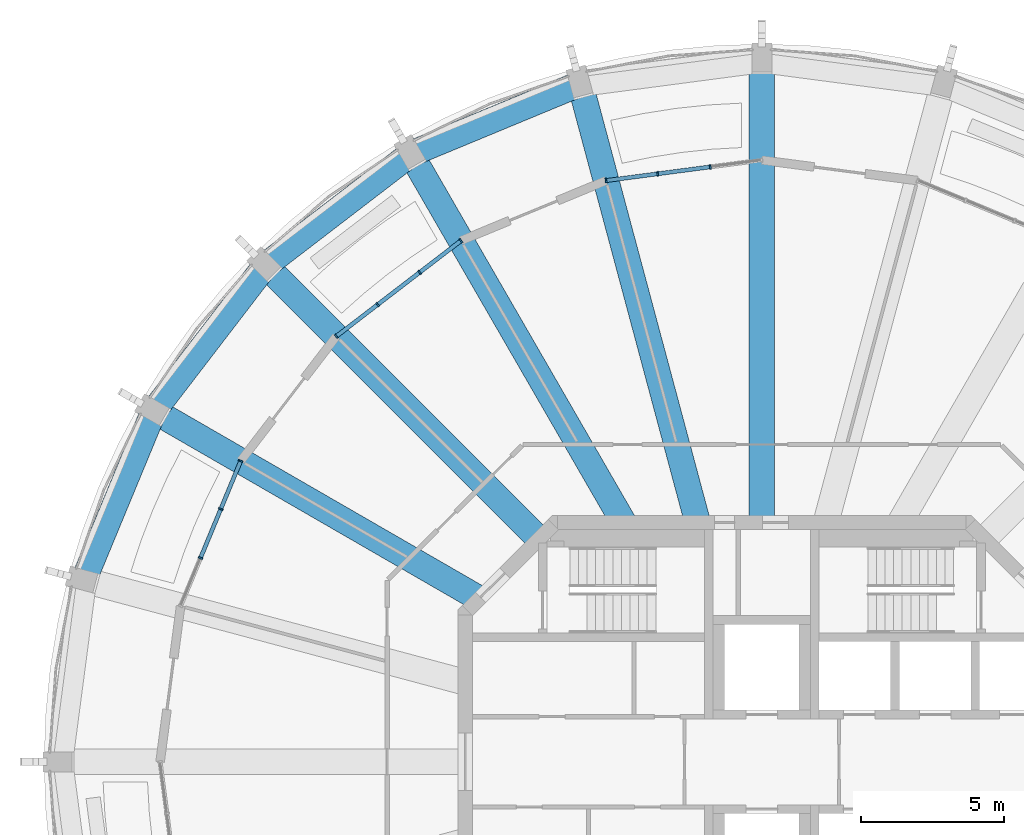
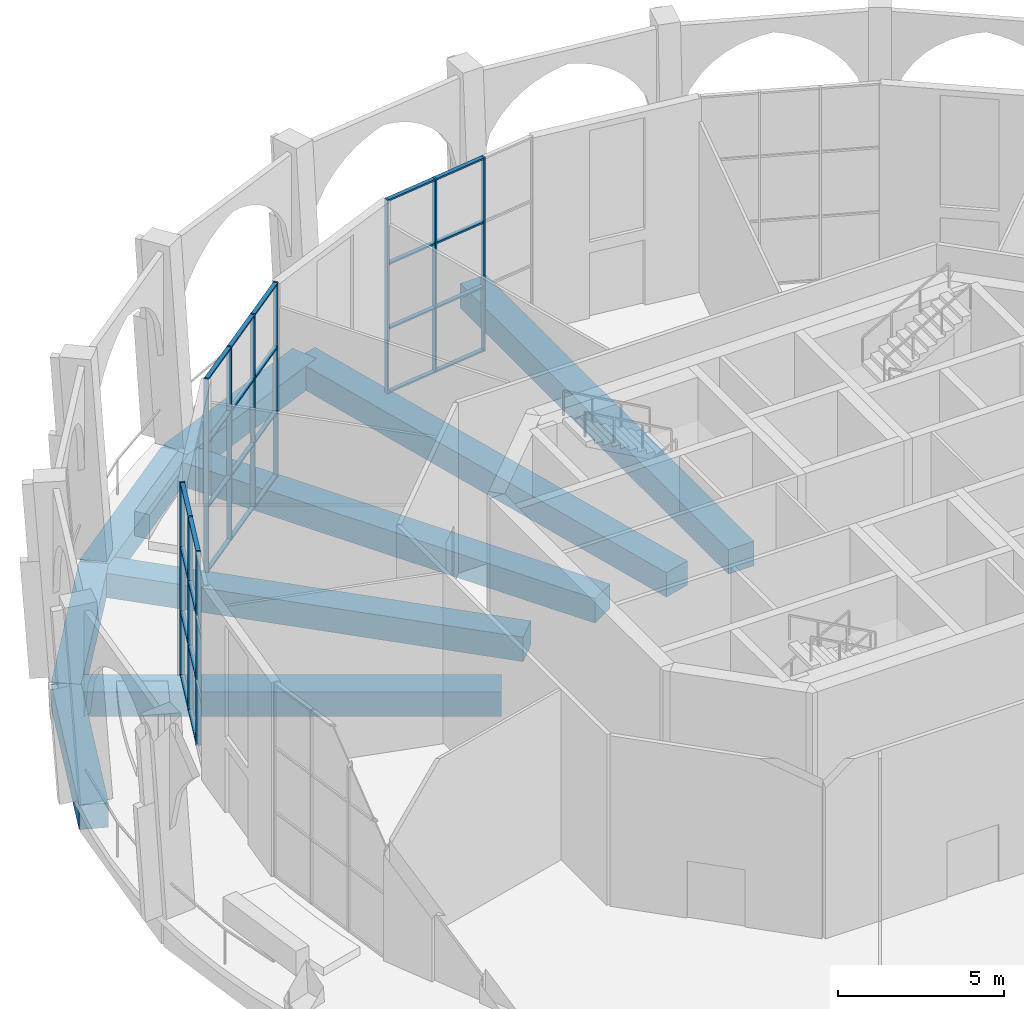
# One storey, part 5 of 17: 38 members, 9 beams, 3 elements without a shape of their own.
"""IFC4 building model written with IfcOpenShell, lengths in metres."""

import ifcopenshell
import ifcopenshell.guid

model = None  # the IFC model being written
_history = None  # IfcOwnerHistory: only IFC2X3 demands one
_inside = {}  # id of a spatial element -> (the spatial element, [elements in it])
_under = {}  # id of a project, library or spatial element -> (it, [spatial elements below it])
_declared = {}  # id of a project -> (the project, [libraries it declares])
_typed = {}  # id of a type object -> (the type object, [elements of that type])
_made_of = {}  # id of a material, layer set ... -> (it, [elements and type objects made of it])


def new_model(schema):
    """Start an empty IFC model of exactly this schema.

    Asked for "IFC4X3", IfcOpenShell would pick the latest addendum, in which some entities
    have other attributes; the version numbers below select the first issue.
    IFC2X3 requires an IfcOwnerHistory on every rooted entity: one is made here for all.
    """
    global model, _history
    if schema == "IFC4X3":
        model = ifcopenshell.file(schema_version=(4, 3, 0, 0))
    else:
        model = ifcopenshell.file(schema=schema)
    _inside.clear()
    _under.clear()
    _declared.clear()
    _typed.clear()
    _made_of.clear()
    _history = None
    if model.schema == "IFC2X3":
        org = make("IfcOrganization", Name="unknown")
        user = make(
            "IfcPersonAndOrganization",
            ThePerson=make("IfcPerson", FamilyName="unknown"),
            TheOrganization=org,
        )
        app = make(
            "IfcApplication",
            ApplicationDeveloper=org,
            Version="unknown",
            ApplicationFullName="unknown",
            ApplicationIdentifier="unknown",
        )
        _history = make(
            "IfcOwnerHistory",
            OwningUser=user,
            OwningApplication=app,
            ChangeAction="ADDED",
            CreationDate=0,
        )
    return model


def make(cls, **values):
    """One entity of the class cls with the attributes given. An attribute that is None is left unset."""
    return model.create_entity(
        cls, **{name: value for name, value in values.items() if value is not None}
    )


def rooted(cls, **values):
    """An entity with a GlobalId (a new one), such as an element, a storey or a relation."""
    return make(cls, GlobalId=ifcopenshell.guid.new(), OwnerHistory=_history, **values)


def si_unit(unit_type, name, prefix=None):
    """IfcSIUnit, for example si_unit("LENGTHUNIT", "METRE", prefix="MILLI")."""
    return make("IfcSIUnit", UnitType=unit_type, Prefix=prefix, Name=name)


def assignment(units):
    """IfcUnitAssignment: the units of a project."""
    return None if units is None else make("IfcUnitAssignment", Units=units)


def point(xyz):
    """IfcCartesianPoint."""
    return None if xyz is None else make("IfcCartesianPoint", Coordinates=xyz)


def direction(xyz):
    """IfcDirection."""
    return None if xyz is None else make("IfcDirection", DirectionRatios=xyz)


def frame(location, z_axis=None, x_axis=None):
    """IfcAxis2Placement3D, a coordinate frame: its origin and axes. An axis left out is left unset."""
    return make(
        "IfcAxis2Placement3D",
        Location=point(location),
        Axis=direction(z_axis),
        RefDirection=direction(x_axis),
    )


def frame_2d(location, x_axis=None):
    """IfcAxis2Placement2D, a coordinate frame in the plane: its origin and x axis."""
    return make(
        "IfcAxis2Placement2D", Location=point(location), RefDirection=direction(x_axis)
    )


def origin():
    """The frame at (0, 0, 0) with its axes left unset."""
    return frame((0.0, 0.0, 0.0))


def origin_2d():
    """The frame at (0, 0) in the plane with its x axis left unset."""
    return frame_2d((0.0, 0.0))


def place(relative_to, where):
    """IfcLocalPlacement: puts the frame where relative to a parent placement (None: the world)."""
    return make(
        "IfcLocalPlacement", PlacementRelTo=relative_to, RelativePlacement=where
    )


def context(
    kind, dimensions, precision=None, world=None, true_north=None, identifier=None
):
    """IfcGeometricRepresentationContext, for example the 3D "Model" context."""
    return make(
        "IfcGeometricRepresentationContext",
        ContextIdentifier=identifier,
        ContextType=kind,
        CoordinateSpaceDimension=dimensions,
        Precision=precision,
        WorldCoordinateSystem=world,
        TrueNorth=true_north,
    )


def subcontext(parent, identifier, kind, view, scale=None):
    """IfcGeometricRepresentationSubContext, for example "Body" below "Model"."""
    return make(
        "IfcGeometricRepresentationSubContext",
        ContextIdentifier=identifier,
        ContextType=kind,
        ParentContext=parent,
        TargetScale=scale,
        TargetView=view,
    )


def project(units=None, contexts=None):
    """IfcProject with its units and contexts."""
    return rooted(
        "IfcProject",
        Name="project",
        RepresentationContexts=contexts,
        UnitsInContext=assignment(units),
    )


def spatial(cls, under=None, at=None, **own):
    """A site, building, storey or space (cls), placed at a placement, below another one or the project."""
    s = rooted(cls, ObjectPlacement=at, **own)
    if under is not None:
        _under.setdefault(under.id(), (under, []))[1].append(s)
    return s


def profile(cls, at=None, kind="AREA", **sizes):
    """A parametric profile (cls). Its sizes go by their IFC names, for example OverallWidth=200.0."""
    return make(cls, ProfileType=kind, Position=at, **sizes)


def rectangle(**sizes):
    """IfcRectangleProfileDef."""
    return profile("IfcRectangleProfileDef", **sizes)


def extrude(swept, where, along, depth):
    """IfcExtrudedAreaSolid: the profile swept, set in the frame where, extruded along a direction by depth."""
    return make(
        "IfcExtrudedAreaSolid",
        SweptArea=swept,
        Position=where,
        ExtrudedDirection=direction(along),
        Depth=depth,
    )


def shape(context_of_items, identifier, shape_type, items):
    """IfcShapeRepresentation: the items that make up one representation, for example the "Body"."""
    return make(
        "IfcShapeRepresentation",
        ContextOfItems=context_of_items,
        RepresentationIdentifier=identifier,
        RepresentationType=shape_type,
        Items=items,
    )


def material(Name=None, Category=None):
    """IfcMaterial."""
    return make("IfcMaterial", Name=Name, Category=Category)


def material_profile(
    of_material, cross_section, Name=None, Category=None, Priority=None
):
    """IfcMaterialProfile: a cross section and its material."""
    return make(
        "IfcMaterialProfile",
        Name=Name,
        Material=of_material,
        Profile=cross_section,
        Priority=Priority,
        Category=Category,
    )


def profile_set(profiles, Name=None, composite=None):
    """IfcMaterialProfileSet."""
    return make(
        "IfcMaterialProfileSet",
        Name=Name,
        MaterialProfiles=profiles,
        CompositeProfile=composite,
    )


def made_of(thing, what):
    """Note that an element or type object is made of a material, layer set ...; save() writes the relation."""
    if what is not None:
        _made_of.setdefault(what.id(), (what, []))[1].append(thing)
    return thing


def type_object(cls, material=None, **own):
    """A type object (cls), such as IfcWallType, which elements share."""
    return made_of(rooted(cls, **own), material)


def element(
    cls,
    number,
    at=None,
    inside=None,
    cuts=None,
    type_object=None,
    material=None,
    context=None,
    identifier="Body",
    shape_type=None,
    held_by="IfcProductDefinitionShape",
    body=None,
    shapes=None,
    **own,
):
    """One element of the class cls, such as IfcWall. Its Tag is "e" and its number.

    at: its placement. inside: the storey or other place that contains it. cuts: it is an
    opening in that element (IfcRelVoidsElement). A single representation is given by context,
    identifier, shape_type and body (its items); several are given by shapes. held_by: the class
    of the entity that holds the representations. save() writes the other relations.
    """
    e = rooted(cls, Tag="e%d" % number, ObjectPlacement=at, **own)
    if body is not None:
        shapes = [shape(context, identifier, shape_type, body)]
    if shapes is not None:
        e.Representation = make(held_by, Representations=shapes)
    if inside is not None:
        _inside.setdefault(inside.id(), (inside, []))[1].append(e)
    if cuts is not None:
        rooted(
            "IfcRelVoidsElement", RelatingBuildingElement=cuts, RelatedOpeningElement=e
        )
    if type_object is not None:
        _typed.setdefault(type_object.id(), (type_object, []))[1].append(e)
    return made_of(e, material)


def aggregate(whole, parts):
    """IfcRelAggregates: a whole, such as a stair, and the parts it consists of."""
    return rooted("IfcRelAggregates", RelatingObject=whole, RelatedObjects=parts)


def save(model, path):
    """Write the relations noted so far, then the file.

    IfcRelAggregates (storeys below a building ...), IfcRelContainedInSpatialStructure (elements
    in a storey), IfcRelDefinesByType, IfcRelAssociatesMaterial and IfcRelDeclares: one each for
    every whole, place, type object, material and project.
    """
    for whole, parts in _under.values():
        aggregate(whole, parts)
    for where, things in _inside.values():
        rooted(
            "IfcRelContainedInSpatialStructure",
            RelatedElements=things,
            RelatingStructure=where,
        )
    for kind, things in _typed.values():
        rooted("IfcRelDefinesByType", RelatedObjects=things, RelatingType=kind)
    for what, things in _made_of.values():
        rooted("IfcRelAssociatesMaterial", RelatedObjects=things, RelatingMaterial=what)
    for by, libraries in _declared.values():
        rooted("IfcRelDeclares", RelatingContext=by, RelatedDefinitions=libraries)
    model.write(path)


model = new_model("IFC4")

# Units and contexts
model_context = context("Model", 3, precision=1e-05, world=origin(), true_north=direction((0.0, 1.0)))
body_context = subcontext(model_context, "Body", "Model", "MODEL_VIEW")
ifc_project = project(units=[si_unit("LENGTHUNIT", "METRE"), si_unit("AREAUNIT", "SQUARE_METRE"), si_unit("VOLUMEUNIT", "CUBIC_METRE"), si_unit("PLANEANGLEUNIT", "RADIAN"), si_unit("MASSUNIT", "GRAM", prefix="KILO")], contexts=[model_context])

# Site, building, storey
site_placement = place(None, origin())
site = spatial("IfcSite", under=ifc_project, at=site_placement, CompositionType="ELEMENT")
building_placement = place(site_placement, origin())
building = spatial("IfcBuilding", under=site, at=building_placement, Name="Torre Triforio", CompositionType="ELEMENT")
storey_placement = place(building_placement, frame((0.0, 0.0, 276.0)))
storey = spatial("IfcBuildingStorey", under=building, at=storey_placement, Name="L64", CompositionType="ELEMENT", Elevation=276.0)

# Curtain wall, members
ifc_material_1 = material(Name="Aluminium mullion and transom frame with clear laminated glass", Category="aluminium")
curtain_wall_type = type_object("IfcCurtainWallType", Name="Sky garden conservatory wall ECW3", PredefinedType="NOTDEFINED", material=ifc_material_1)
curtain_wall_1_placement = place(storey_placement, origin())
curtain_wall_1 = element("IfcCurtainWall", 1, at=curtain_wall_1_placement, inside=storey, type_object=curtain_wall_type, Name="Conservatory wall L64 bay 07", PredefinedType="NOTDEFINED")
ifc_material_2 = material(Name="Anodised aluminium extrusion", Category="aluminium")
ifc_material_profile_1 = material_profile(ifc_material_2, rectangle(XDim=0.159912109375, YDim=0.06005859375, at=origin_2d()), Name="ECW3 MULLION 60x160")
ifc_profile_set_1 = profile_set([ifc_material_profile_1], Name="Anodised aluminium extrusion")
member_type_1 = type_object("IfcMemberType", Name="ECW3 mullion 60 x 160", PredefinedType="MULLION", material=ifc_profile_set_1)
member_1_placement = place(storey_placement, frame((-1.8017578125, 20.7626953125, 0.0), z_axis=(0.0, 0.0, 1.0), x_axis=(0.130530127386, -0.991444343291, 0.0)))
member_1 = element("IfcMember", 2, at=member_1_placement, type_object=member_type_1, Name="ECW3 mullion 2", PredefinedType="MULLION", context=body_context, shape_type="SweptSolid", body=[
    extrude(rectangle(XDim=0.159912109375, YDim=0.06005859375, at=origin_2d()), origin(), (0.0, 0.0, 1.0), 7.1201171875),
])
member_2_placement = place(storey_placement, frame((-3.63330078125, 20.521728515625, 0.0), z_axis=(0.0, 0.0, 1.0), x_axis=(0.130530127386, -0.991444343291, 0.0)))
member_2 = element("IfcMember", 3, at=member_2_placement, type_object=member_type_1, Name="ECW3 mullion 3", PredefinedType="MULLION", context=body_context, shape_type="SweptSolid", body=[
    extrude(rectangle(XDim=0.159912109375, YDim=0.06005859375, at=origin_2d()), origin(), (0.0, 0.0, 1.0), 7.1201171875),
])
member_3_placement = place(storey_placement, frame((-5.43505859375, 20.284423828125, 0.0), z_axis=(0.0, 0.0, 1.0), x_axis=(0.130530127386, -0.991444343291, 0.0)))
member_3 = element("IfcMember", 4, at=member_3_placement, type_object=member_type_1, Name="ECW3 mullion 4", PredefinedType="MULLION", context=body_context, shape_type="SweptSolid", body=[
    extrude(rectangle(XDim=0.159912109375, YDim=0.06005859375, at=origin_2d()), origin(), (0.0, 0.0, 1.0), 7.1201171875),
])

curtain_wall_2_placement = place(storey_placement, origin())
curtain_wall_2 = element("IfcCurtainWall", 5, at=curtain_wall_2_placement, inside=storey, type_object=curtain_wall_type, Name="Conservatory wall L64 bay 09", PredefinedType="NOTDEFINED")
member_4_placement = place(storey_placement, frame((-10.5, 18.1865234375, 0.0), z_axis=(0.0, 0.0, 1.0), x_axis=(0.608763325538, -0.793351885029, 0.0)))
member_4 = element("IfcMember", 6, at=member_4_placement, type_object=member_type_1, Name="ECW3 mullion 1", PredefinedType="MULLION", context=body_context, shape_type="SweptSolid", body=[
    extrude(rectangle(XDim=0.159912109375, YDim=0.06005859375, at=origin_2d()), origin(), (0.0, 0.0, 1.0), 7.1201171875),
])
member_5_placement = place(storey_placement, frame((-11.94189453125, 17.080078125, 0.0), z_axis=(0.0, 0.0, 1.0), x_axis=(0.608763325538, -0.793351885029, 0.0)))
member_5 = element("IfcMember", 7, at=member_5_placement, type_object=member_type_1, Name="ECW3 mullion 2", PredefinedType="MULLION", context=body_context, shape_type="SweptSolid", body=[
    extrude(rectangle(XDim=0.159912109375, YDim=0.06005859375, at=origin_2d()), origin(), (0.0, 0.0, 1.0), 7.1201171875),
])
member_6_placement = place(storey_placement, frame((-13.407470703125, 15.95556640625, 0.0), z_axis=(0.0, 0.0, 1.0), x_axis=(0.608763325538, -0.793351885029, 0.0)))
member_6 = element("IfcMember", 8, at=member_6_placement, type_object=member_type_1, Name="ECW3 mullion 3", PredefinedType="MULLION", context=body_context, shape_type="SweptSolid", body=[
    extrude(rectangle(XDim=0.159912109375, YDim=0.06005859375, at=origin_2d()), origin(), (0.0, 0.0, 1.0), 7.1201171875),
])
member_7_placement = place(storey_placement, frame((-14.84912109375, 14.849365234375, 0.0), z_axis=(0.0, 0.0, 1.0), x_axis=(0.608763325538, -0.793351885029, 0.0)))
member_7 = element("IfcMember", 9, at=member_7_placement, type_object=member_type_1, Name="ECW3 mullion 4", PredefinedType="MULLION", context=body_context, shape_type="SweptSolid", body=[
    extrude(rectangle(XDim=0.159912109375, YDim=0.06005859375, at=origin_2d()), origin(), (0.0, 0.0, 1.0), 7.1201171875),
])

curtain_wall_3_placement = place(storey_placement, origin())
curtain_wall_3 = element("IfcCurtainWall", 10, at=curtain_wall_3_placement, inside=storey, type_object=curtain_wall_type, Name="Conservatory wall L64 bay 11", PredefinedType="NOTDEFINED")
member_8_placement = place(storey_placement, frame((-18.1865234375, 10.5, 0.0), z_axis=(0.0, 0.0, 1.0), x_axis=(0.923883122974, -0.382674764107, 0.0)))
member_8 = element("IfcMember", 11, at=member_8_placement, type_object=member_type_1, Name="ECW3 mullion 1", PredefinedType="MULLION", context=body_context, shape_type="SweptSolid", body=[
    extrude(rectangle(XDim=0.159912109375, YDim=0.06005859375, at=origin_2d()), origin(), (0.0, 0.0, 1.0), 7.1201171875),
])
member_9_placement = place(storey_placement, frame((-18.882080078125, 8.821044921875, 0.0), z_axis=(0.0, 0.0, 1.0), x_axis=(0.923883122974, -0.382674764107, 0.0)))
member_9 = element("IfcMember", 12, at=member_9_placement, type_object=member_type_1, Name="ECW3 mullion 2", PredefinedType="MULLION", context=body_context, shape_type="SweptSolid", body=[
    extrude(rectangle(XDim=0.159912109375, YDim=0.06005859375, at=origin_2d()), origin(), (0.0, 0.0, 1.0), 7.1201171875),
])
member_10_placement = place(storey_placement, frame((-19.5888671875, 7.1142578125, 0.0), z_axis=(0.0, 0.0, 1.0), x_axis=(0.923883122974, -0.382674764107, 0.0)))
member_10 = element("IfcMember", 13, at=member_10_placement, type_object=member_type_1, Name="ECW3 mullion 3", PredefinedType="MULLION", context=body_context, shape_type="SweptSolid", body=[
    extrude(rectangle(XDim=0.159912109375, YDim=0.06005859375, at=origin_2d()), origin(), (0.0, 0.0, 1.0), 7.1201171875),
])

# Member
ifc_material_profile_2 = material_profile(ifc_material_2, rectangle(XDim=0.139892578125, YDim=0.06005859375, at=origin_2d()), Name="ECW3 TRANSOM 60x140")
ifc_profile_set_2 = profile_set([ifc_material_profile_2], Name="Anodised aluminium extrusion")
member_type_2 = type_object("IfcMemberType", Name="ECW3 transom 60 x 140", PredefinedType="USERDEFINED", material=ifc_profile_set_2)
member_11_placement = place(storey_placement, frame((-1.83154296875, 20.7587890625, 0.030029296875), z_axis=(-0.991454295543, -0.130454512571, 0.0), x_axis=(0.130454512571, -0.991454295543, 0.0)))
member_11 = element("IfcMember", 14, at=member_11_placement, type_object=member_type_2, Name="ECW3 transom 2.1", ObjectType="TRANSOM", PredefinedType="USERDEFINED", context=body_context, shape_type="SweptSolid", body=[
    extrude(rectangle(XDim=0.139892578125, YDim=0.06005859375, at=origin_2d()), origin(), (0.0, 0.0, 1.0), 1.787353515625),
])

member_12_placement = place(storey_placement, frame((-1.83154296875, 20.7587890625, 2.373291015625), z_axis=(-0.991454295543, -0.130454512571, 0.0), x_axis=(0.130454512571, -0.991454295543, 0.0)))
member_12 = element("IfcMember", 15, at=member_12_placement, type_object=member_type_2, Name="ECW3 transom 2.2", ObjectType="TRANSOM", PredefinedType="USERDEFINED", context=body_context, shape_type="SweptSolid", body=[
    extrude(rectangle(XDim=0.139892578125, YDim=0.06005859375, at=origin_2d()), origin(), (0.0, 0.0, 1.0), 1.787353515625),
])

member_13_placement = place(storey_placement, frame((-1.83154296875, 20.7587890625, 4.74658203125), z_axis=(-0.991454295543, -0.130454512571, 0.0), x_axis=(0.130454512571, -0.991454295543, 0.0)))
member_13 = element("IfcMember", 16, at=member_13_placement, type_object=member_type_2, Name="ECW3 transom 2.3", ObjectType="TRANSOM", PredefinedType="USERDEFINED", context=body_context, shape_type="SweptSolid", body=[
    extrude(rectangle(XDim=0.139892578125, YDim=0.06005859375, at=origin_2d()), origin(), (0.0, 0.0, 1.0), 1.787353515625),
])

member_14_placement = place(storey_placement, frame((-1.83154296875, 20.7587890625, 7.090087890625), z_axis=(-0.991454295543, -0.130454512571, 0.0), x_axis=(0.130454512571, -0.991454295543, 0.0)))
member_14 = element("IfcMember", 17, at=member_14_placement, type_object=member_type_2, Name="ECW3 transom 2.4", ObjectType="TRANSOM", PredefinedType="USERDEFINED", context=body_context, shape_type="SweptSolid", body=[
    extrude(rectangle(XDim=0.139892578125, YDim=0.06005859375, at=origin_2d()), origin(), (0.0, 0.0, 1.0), 1.787353515625),
])

member_15_placement = place(storey_placement, frame((-3.6630859375, 20.517822265625, 0.030029296875), z_axis=(-0.991437738784, -0.130580282255, 0.0), x_axis=(0.130580282255, -0.991437738784, 0.0)))
member_15 = element("IfcMember", 18, at=member_15_placement, type_object=member_type_2, Name="ECW3 transom 3.1", ObjectType="TRANSOM", PredefinedType="USERDEFINED", context=body_context, shape_type="SweptSolid", body=[
    extrude(rectangle(XDim=0.139892578125, YDim=0.06005859375, at=origin_2d()), origin(), (0.0, 0.0, 1.0), 1.757568359375),
])

member_16_placement = place(storey_placement, frame((-3.6630859375, 20.517822265625, 2.373291015625), z_axis=(-0.991437738784, -0.130580282255, 0.0), x_axis=(0.130580282255, -0.991437738784, 0.0)))
member_16 = element("IfcMember", 19, at=member_16_placement, type_object=member_type_2, Name="ECW3 transom 3.2", ObjectType="TRANSOM", PredefinedType="USERDEFINED", context=body_context, shape_type="SweptSolid", body=[
    extrude(rectangle(XDim=0.139892578125, YDim=0.06005859375, at=origin_2d()), origin(), (0.0, 0.0, 1.0), 1.757568359375),
])

member_17_placement = place(storey_placement, frame((-3.6630859375, 20.517822265625, 4.74658203125), z_axis=(-0.991437738784, -0.130580282255, 0.0), x_axis=(0.130580282255, -0.991437738784, 0.0)))
member_17 = element("IfcMember", 20, at=member_17_placement, type_object=member_type_2, Name="ECW3 transom 3.3", ObjectType="TRANSOM", PredefinedType="USERDEFINED", context=body_context, shape_type="SweptSolid", body=[
    extrude(rectangle(XDim=0.139892578125, YDim=0.06005859375, at=origin_2d()), origin(), (0.0, 0.0, 1.0), 1.757568359375),
])

member_18_placement = place(storey_placement, frame((-3.6630859375, 20.517822265625, 7.090087890625), z_axis=(-0.991437738784, -0.130580282255, 0.0), x_axis=(0.130580282255, -0.991437738784, 0.0)))
member_18 = element("IfcMember", 21, at=member_18_placement, type_object=member_type_2, Name="ECW3 transom 3.4", ObjectType="TRANSOM", PredefinedType="USERDEFINED", context=body_context, shape_type="SweptSolid", body=[
    extrude(rectangle(XDim=0.139892578125, YDim=0.06005859375, at=origin_2d()), origin(), (0.0, 0.0, 1.0), 1.757568359375),
])

aggregate(curtain_wall_1, [member_1, member_2, member_3, member_11, member_12, member_13, member_14, member_15, member_16, member_17, member_18])

member_19_placement = place(storey_placement, frame((-10.523681640625, 18.168212890625, 0.030029296875), z_axis=(-0.793367055756, -0.60874355425, 0.0), x_axis=(0.60874355425, -0.793367055756, 0.0)))
member_19 = element("IfcMember", 22, at=member_19_placement, type_object=member_type_2, Name="ECW3 transom 1.1", ObjectType="TRANSOM", PredefinedType="USERDEFINED", context=body_context, shape_type="SweptSolid", body=[
    extrude(rectangle(XDim=0.139892578125, YDim=0.06005859375, at=origin_2d()), origin(), (0.0, 0.0, 1.0), 1.75732421875),
])

member_20_placement = place(storey_placement, frame((-10.523681640625, 18.168212890625, 2.373291015625), z_axis=(-0.793367055756, -0.60874355425, 0.0), x_axis=(0.60874355425, -0.793367055756, 0.0)))
member_20 = element("IfcMember", 23, at=member_20_placement, type_object=member_type_2, Name="ECW3 transom 1.2", ObjectType="TRANSOM", PredefinedType="USERDEFINED", context=body_context, shape_type="SweptSolid", body=[
    extrude(rectangle(XDim=0.139892578125, YDim=0.06005859375, at=origin_2d()), origin(), (0.0, 0.0, 1.0), 1.75732421875),
])

member_21_placement = place(storey_placement, frame((-10.523681640625, 18.168212890625, 4.74658203125), z_axis=(-0.793367055756, -0.60874355425, 0.0), x_axis=(0.60874355425, -0.793367055756, 0.0)))
member_21 = element("IfcMember", 24, at=member_21_placement, type_object=member_type_2, Name="ECW3 transom 1.3", ObjectType="TRANSOM", PredefinedType="USERDEFINED", context=body_context, shape_type="SweptSolid", body=[
    extrude(rectangle(XDim=0.139892578125, YDim=0.06005859375, at=origin_2d()), origin(), (0.0, 0.0, 1.0), 1.75732421875),
])

member_22_placement = place(storey_placement, frame((-10.523681640625, 18.168212890625, 7.090087890625), z_axis=(-0.793367055756, -0.60874355425, 0.0), x_axis=(0.60874355425, -0.793367055756, 0.0)))
member_22 = element("IfcMember", 25, at=member_22_placement, type_object=member_type_2, Name="ECW3 transom 1.4", ObjectType="TRANSOM", PredefinedType="USERDEFINED", context=body_context, shape_type="SweptSolid", body=[
    extrude(rectangle(XDim=0.139892578125, YDim=0.06005859375, at=origin_2d()), origin(), (0.0, 0.0, 1.0), 1.75732421875),
])

member_23_placement = place(storey_placement, frame((-11.965576171875, 17.06201171875, 0.030029296875), z_axis=(-0.793329270588, -0.608792795973, 0.0), x_axis=(0.608792795973, -0.793329270588, 0.0)))
member_23 = element("IfcMember", 26, at=member_23_placement, type_object=member_type_2, Name="ECW3 transom 2.1", ObjectType="TRANSOM", PredefinedType="USERDEFINED", context=body_context, shape_type="SweptSolid", body=[
    extrude(rectangle(XDim=0.139892578125, YDim=0.06005859375, at=origin_2d()), origin(), (0.0, 0.0, 1.0), 1.787353515625),
])

member_24_placement = place(storey_placement, frame((-11.965576171875, 17.06201171875, 2.373291015625), z_axis=(-0.793329270588, -0.608792795973, 0.0), x_axis=(0.608792795973, -0.793329270588, 0.0)))
member_24 = element("IfcMember", 27, at=member_24_placement, type_object=member_type_2, Name="ECW3 transom 2.2", ObjectType="TRANSOM", PredefinedType="USERDEFINED", context=body_context, shape_type="SweptSolid", body=[
    extrude(rectangle(XDim=0.139892578125, YDim=0.06005859375, at=origin_2d()), origin(), (0.0, 0.0, 1.0), 1.787353515625),
])

member_25_placement = place(storey_placement, frame((-11.965576171875, 17.06201171875, 4.74658203125), z_axis=(-0.793329270588, -0.608792795973, 0.0), x_axis=(0.608792795973, -0.793329270588, 0.0)))
member_25 = element("IfcMember", 28, at=member_25_placement, type_object=member_type_2, Name="ECW3 transom 2.3", ObjectType="TRANSOM", PredefinedType="USERDEFINED", context=body_context, shape_type="SweptSolid", body=[
    extrude(rectangle(XDim=0.139892578125, YDim=0.06005859375, at=origin_2d()), origin(), (0.0, 0.0, 1.0), 1.787353515625),
])

member_26_placement = place(storey_placement, frame((-11.965576171875, 17.06201171875, 7.090087890625), z_axis=(-0.793329270588, -0.608792795973, 0.0), x_axis=(0.608792795973, -0.793329270588, 0.0)))
member_26 = element("IfcMember", 29, at=member_26_placement, type_object=member_type_2, Name="ECW3 transom 2.4", ObjectType="TRANSOM", PredefinedType="USERDEFINED", context=body_context, shape_type="SweptSolid", body=[
    extrude(rectangle(XDim=0.139892578125, YDim=0.06005859375, at=origin_2d()), origin(), (0.0, 0.0, 1.0), 1.787353515625),
])

member_27_placement = place(storey_placement, frame((-13.43115234375, 15.937255859375, 0.030029296875), z_axis=(-0.793367055756, -0.60874355425, 0.0), x_axis=(0.60874355425, -0.793367055756, 0.0)))
member_27 = element("IfcMember", 30, at=member_27_placement, type_object=member_type_2, Name="ECW3 transom 3.1", ObjectType="TRANSOM", PredefinedType="USERDEFINED", context=body_context, shape_type="SweptSolid", body=[
    extrude(rectangle(XDim=0.139892578125, YDim=0.06005859375, at=origin_2d()), origin(), (0.0, 0.0, 1.0), 1.75732421875),
])

member_28_placement = place(storey_placement, frame((-13.43115234375, 15.937255859375, 2.373291015625), z_axis=(-0.793367055756, -0.60874355425, 0.0), x_axis=(0.60874355425, -0.793367055756, 0.0)))
member_28 = element("IfcMember", 31, at=member_28_placement, type_object=member_type_2, Name="ECW3 transom 3.2", ObjectType="TRANSOM", PredefinedType="USERDEFINED", context=body_context, shape_type="SweptSolid", body=[
    extrude(rectangle(XDim=0.139892578125, YDim=0.06005859375, at=origin_2d()), origin(), (0.0, 0.0, 1.0), 1.75732421875),
])

member_29_placement = place(storey_placement, frame((-13.43115234375, 15.937255859375, 4.74658203125), z_axis=(-0.793367055756, -0.60874355425, 0.0), x_axis=(0.60874355425, -0.793367055756, 0.0)))
member_29 = element("IfcMember", 32, at=member_29_placement, type_object=member_type_2, Name="ECW3 transom 3.3", ObjectType="TRANSOM", PredefinedType="USERDEFINED", context=body_context, shape_type="SweptSolid", body=[
    extrude(rectangle(XDim=0.139892578125, YDim=0.06005859375, at=origin_2d()), origin(), (0.0, 0.0, 1.0), 1.75732421875),
])

member_30_placement = place(storey_placement, frame((-13.43115234375, 15.937255859375, 7.090087890625), z_axis=(-0.793367055756, -0.60874355425, 0.0), x_axis=(0.60874355425, -0.793367055756, 0.0)))
member_30 = element("IfcMember", 33, at=member_30_placement, type_object=member_type_2, Name="ECW3 transom 3.4", ObjectType="TRANSOM", PredefinedType="USERDEFINED", context=body_context, shape_type="SweptSolid", body=[
    extrude(rectangle(XDim=0.139892578125, YDim=0.06005859375, at=origin_2d()), origin(), (0.0, 0.0, 1.0), 1.75732421875),
])

aggregate(curtain_wall_2, [member_4, member_5, member_6, member_7, member_19, member_20, member_21, member_22, member_23, member_24, member_25, member_26, member_27, member_28, member_29, member_30])

member_31_placement = place(storey_placement, frame((-18.197998046875, 10.47216796875, 0.030029296875), z_axis=(-0.38274032778, -0.923855963606, 0.0), x_axis=(0.923855963606, -0.38274032778, 0.0)))
member_31 = element("IfcMember", 34, at=member_31_placement, type_object=member_type_2, Name="ECW3 transom 1.1", ObjectType="TRANSOM", PredefinedType="USERDEFINED", context=body_context, shape_type="SweptSolid", body=[
    extrude(rectangle(XDim=0.139892578125, YDim=0.06005859375, at=origin_2d()), origin(), (0.0, 0.0, 1.0), 1.75732421875),
])

member_32_placement = place(storey_placement, frame((-18.197998046875, 10.47216796875, 2.373291015625), z_axis=(-0.38274032778, -0.923855963606, 0.0), x_axis=(0.923855963606, -0.38274032778, 0.0)))
member_32 = element("IfcMember", 35, at=member_32_placement, type_object=member_type_2, Name="ECW3 transom 1.2", ObjectType="TRANSOM", PredefinedType="USERDEFINED", context=body_context, shape_type="SweptSolid", body=[
    extrude(rectangle(XDim=0.139892578125, YDim=0.06005859375, at=origin_2d()), origin(), (0.0, 0.0, 1.0), 1.75732421875),
])

member_33_placement = place(storey_placement, frame((-18.197998046875, 10.47216796875, 4.74658203125), z_axis=(-0.38274032778, -0.923855963606, 0.0), x_axis=(0.923855963606, -0.38274032778, 0.0)))
member_33 = element("IfcMember", 36, at=member_33_placement, type_object=member_type_2, Name="ECW3 transom 1.3", ObjectType="TRANSOM", PredefinedType="USERDEFINED", context=body_context, shape_type="SweptSolid", body=[
    extrude(rectangle(XDim=0.139892578125, YDim=0.06005859375, at=origin_2d()), origin(), (0.0, 0.0, 1.0), 1.75732421875),
])

member_34_placement = place(storey_placement, frame((-18.197998046875, 10.47216796875, 7.090087890625), z_axis=(-0.38274032778, -0.923855963606, 0.0), x_axis=(0.923855963606, -0.38274032778, 0.0)))
member_34 = element("IfcMember", 37, at=member_34_placement, type_object=member_type_2, Name="ECW3 transom 1.4", ObjectType="TRANSOM", PredefinedType="USERDEFINED", context=body_context, shape_type="SweptSolid", body=[
    extrude(rectangle(XDim=0.139892578125, YDim=0.06005859375, at=origin_2d()), origin(), (0.0, 0.0, 1.0), 1.75732421875),
])

member_35_placement = place(storey_placement, frame((-18.8935546875, 8.793212890625, 0.030029296875), z_axis=(-0.382597092023, -0.923915291126, 0.0), x_axis=(0.923915291126, -0.382597092023, 0.0)))
member_35 = element("IfcMember", 38, at=member_35_placement, type_object=member_type_2, Name="ECW3 transom 2.1", ObjectType="TRANSOM", PredefinedType="USERDEFINED", context=body_context, shape_type="SweptSolid", body=[
    extrude(rectangle(XDim=0.139892578125, YDim=0.06005859375, at=origin_2d()), origin(), (0.0, 0.0, 1.0), 1.787353515625),
])

member_36_placement = place(storey_placement, frame((-18.8935546875, 8.793212890625, 2.373291015625), z_axis=(-0.382597092023, -0.923915291126, 0.0), x_axis=(0.923915291126, -0.382597092023, 0.0)))
member_36 = element("IfcMember", 39, at=member_36_placement, type_object=member_type_2, Name="ECW3 transom 2.2", ObjectType="TRANSOM", PredefinedType="USERDEFINED", context=body_context, shape_type="SweptSolid", body=[
    extrude(rectangle(XDim=0.139892578125, YDim=0.06005859375, at=origin_2d()), origin(), (0.0, 0.0, 1.0), 1.787353515625),
])

member_37_placement = place(storey_placement, frame((-18.8935546875, 8.793212890625, 4.74658203125), z_axis=(-0.382597092023, -0.923915291126, 0.0), x_axis=(0.923915291126, -0.382597092023, 0.0)))
member_37 = element("IfcMember", 40, at=member_37_placement, type_object=member_type_2, Name="ECW3 transom 2.3", ObjectType="TRANSOM", PredefinedType="USERDEFINED", context=body_context, shape_type="SweptSolid", body=[
    extrude(rectangle(XDim=0.139892578125, YDim=0.06005859375, at=origin_2d()), origin(), (0.0, 0.0, 1.0), 1.787353515625),
])

member_38_placement = place(storey_placement, frame((-18.8935546875, 8.793212890625, 7.090087890625), z_axis=(-0.382597092023, -0.923915291126, 0.0), x_axis=(0.923915291126, -0.382597092023, 0.0)))
member_38 = element("IfcMember", 41, at=member_38_placement, type_object=member_type_2, Name="ECW3 transom 2.4", ObjectType="TRANSOM", PredefinedType="USERDEFINED", context=body_context, shape_type="SweptSolid", body=[
    extrude(rectangle(XDim=0.139892578125, YDim=0.06005859375, at=origin_2d()), origin(), (0.0, 0.0, 1.0), 1.787353515625),
])

aggregate(curtain_wall_3, [member_8, member_9, member_10, member_31, member_32, member_33, member_34, member_35, member_36, member_37, member_38])

# Beams
ifc_material_3 = material(Name="Concrete C40", Category="concrete")
ifc_material_profile_3 = material_profile(ifc_material_3, rectangle(XDim=0.89990234375, YDim=0.89990234375, at=origin_2d()), Name="RC 900x900")
ifc_profile_set_3 = profile_set([ifc_material_profile_3], Name="Concrete C40")
beam_type_1 = type_object("IfcBeamType", Name="Radial beam RC 900x900 C40", PredefinedType="BEAM", material=ifc_profile_set_3)
beam_1_placement = place(storey_placement, frame((0.0, 8.35009765625, -0.72998046875), z_axis=(0.0, 1.0, 0.0), x_axis=(-1.0, 0.0, 0.0)))
element("IfcBeam", 42, at=beam_1_placement, inside=storey, type_object=beam_type_1, Name="BM.R.L64.06", PredefinedType="BEAM", context=body_context, shape_type="SweptSolid", body=[
    extrude(rectangle(XDim=0.89990234375, YDim=0.89990234375, at=origin_2d()), origin(), (0.0, 0.0, 1.0), 16.14990234375),
])
beam_2_placement = place(storey_placement, frame((-2.2373046875, 8.35009765625, -0.72998046875), z_axis=(-0.258823056343, 0.965924751471, 0.0), x_axis=(-0.965924751471, -0.258823056343, 0.0)))
element("IfcBeam", 43, at=beam_2_placement, inside=storey, type_object=beam_type_1, Name="BM.R.L64.07", PredefinedType="BEAM", context=body_context, shape_type="SweptSolid", body=[
    extrude(rectangle(XDim=0.89990234375, YDim=0.89990234375, at=origin_2d()), origin(), (0.0, 0.0, 1.0), 15.85546875),
])
beam_3_placement = place(storey_placement, frame((-4.82080078125, 8.35009765625, -0.72998046875), z_axis=(-0.50000929273, 0.866020038558, 0.0), x_axis=(-0.866020038558, -0.50000929273, 0.0)))
element("IfcBeam", 44, at=beam_3_placement, inside=storey, type_object=beam_type_1, Name="BM.R.L64.08", PredefinedType="BEAM", context=body_context, shape_type="SweptSolid", body=[
    extrude(rectangle(XDim=0.89990234375, YDim=0.89990234375, at=origin_2d()), origin(), (0.0, 0.0, 1.0), 14.858154296875),
])
beam_4_placement = place(storey_placement, frame((-7.77685546875, 7.77685546875, -0.72998046875), z_axis=(-0.707106781187, 0.707106781187, 0.0), x_axis=(-0.707106781187, -0.707106781187, 0.0)))
element("IfcBeam", 45, at=beam_4_placement, inside=storey, type_object=beam_type_1, Name="BM.R.L64.09", PredefinedType="BEAM", context=body_context, shape_type="SweptSolid", body=[
    extrude(rectangle(XDim=0.89990234375, YDim=0.89990234375, at=origin_2d()), origin(), (0.0, 0.0, 1.0), 13.501953125),
])
beam_5_placement = place(storey_placement, frame((-9.860595703125, 5.693115234375, -0.72998046875), z_axis=(-0.866026853401, 0.499997489182, 0.0), x_axis=(-0.499997489182, -0.866026853401, 0.0)))
element("IfcBeam", 46, at=beam_5_placement, inside=storey, type_object=beam_type_1, Name="BM.R.L64.10", PredefinedType="BEAM", context=body_context, shape_type="SweptSolid", body=[
    extrude(rectangle(XDim=0.89990234375, YDim=0.89990234375, at=origin_2d()), origin(), (0.0, 0.0, 1.0), 13.11376953125),
])
ifc_material_profile_4 = material_profile(ifc_material_3, rectangle(XDim=0.89990234375, YDim=0.89990234375, at=origin_2d()), Name="RC 900x900")
ifc_profile_set_4 = profile_set([ifc_material_profile_4], Name="Concrete C40")
beam_type_2 = type_object("IfcBeamType", Name="Spandrel beam RC 900x900 C40", PredefinedType="SPANDREL", material=ifc_profile_set_4)
for number, where, z_axis, x_axis, name in (
    (47, (-6.341064453125, 23.665283203125, -0.72998046875), (-0.923868882006, -0.382709143949, 0.0), (0.382709143949, -0.923868882006, 0.0), "BM.S.L64.07"),
    (48, (-12.25, 21.217529296875, -0.72998046875), (-0.79337406388, -0.60873442055, 0.0), (0.60873442055, -0.79337406388, 0.0), "BM.S.L64.08"),
    (49, (-17.32421875, 17.32421875, -0.72998046875), (-0.60873442055, -0.79337406388, 0.0), (0.79337406388, -0.60873442055, 0.0), "BM.S.L64.09"),
    (50, (-21.217529296875, 12.25, -0.72998046875), (-0.382709143949, -0.923868882006, 0.0), (0.923868882006, -0.382709143949, 0.0), "BM.S.L64.10"),
):
    element("IfcBeam", number, at=place(storey_placement, frame(where, z_axis=z_axis, x_axis=x_axis)), inside=storey, type_object=beam_type_2, Name=name, PredefinedType="SPANDREL", context=body_context, shape_type="SweptSolid", body=[
        extrude(rectangle(XDim=0.89990234375, YDim=0.89990234375, at=origin_2d()), origin(), (0.0, 0.0, 1.0), 6.395751953125),
    ])

save(model, "model.ifc")
